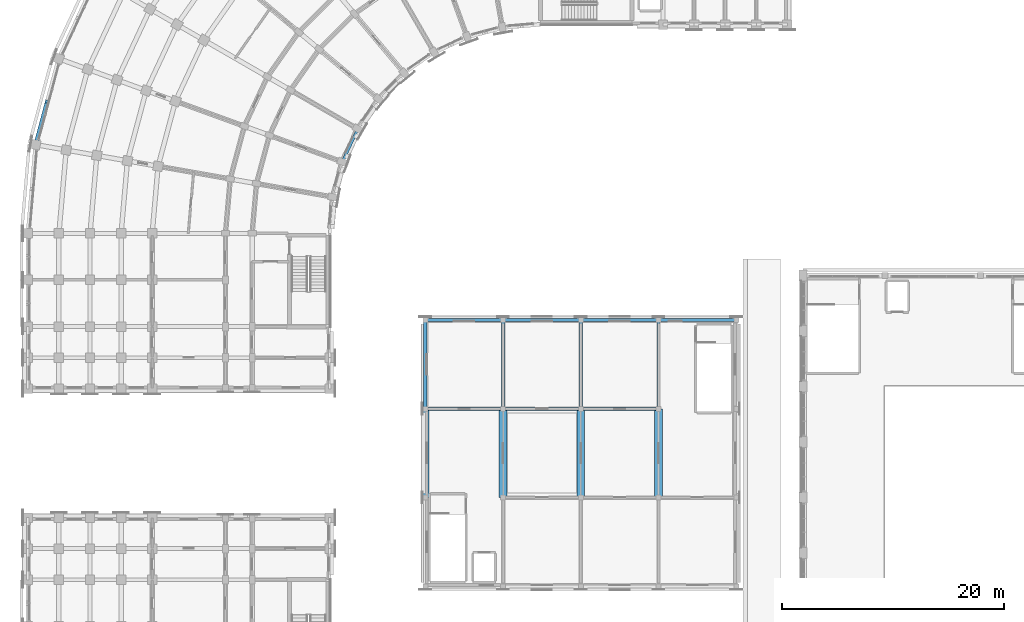
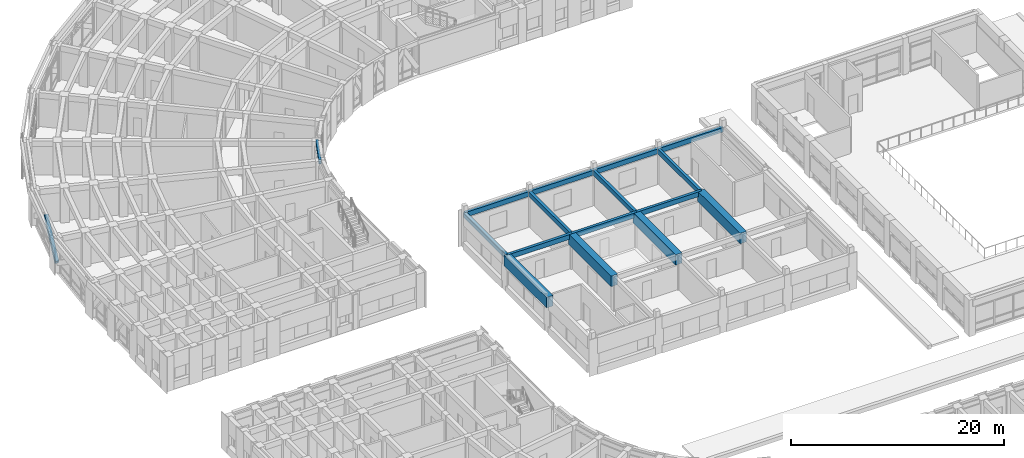
# One storey, part 20 of 97: 17 beams.
"""IFC4 building model written with IfcOpenShell, lengths in metres."""

from ifc_helpers import new_model, si_unit, direction, frame, origin, origin_2d, place, context, subcontext, project, spatial, rectangle, extrude, material, material_profile, profile_set, type_object, element, save


model = new_model("IFC4")

# Units and contexts
model_context = context("Model", 3, precision=1e-05, world=origin(), true_north=direction((0.0, 1.0)))
body_context = subcontext(model_context, "Body", "Model", "MODEL_VIEW")
ifc_project = project(units=[si_unit("LENGTHUNIT", "METRE"), si_unit("AREAUNIT", "SQUARE_METRE"), si_unit("VOLUMEUNIT", "CUBIC_METRE"), si_unit("PLANEANGLEUNIT", "RADIAN"), si_unit("MASSUNIT", "GRAM", prefix="KILO")], contexts=[model_context])

# Site, building, storey
site_placement = place(None, origin())
site = spatial("IfcSite", under=ifc_project, at=site_placement, CompositionType="ELEMENT")
building_placement = place(site_placement, origin())
building = spatial("IfcBuilding", under=site, at=building_placement, Name="Kiranvali Square Residences", CompositionType="ELEMENT")
storey_placement = place(building_placement, frame((0.0, 0.0, 4.5)))
storey = spatial("IfcBuildingStorey", under=building, at=storey_placement, Name="L01", CompositionType="ELEMENT", Elevation=4.5)

# Beams
ifc_material_1 = material(Name="Concrete M40 (40 MPa)", Category="concrete")
ifc_material_profile_1 = material_profile(ifc_material_1, rectangle(XDim=0.35009765625, YDim=0.5, at=origin_2d()), Name="RC 350x500")
ifc_profile_set_1 = profile_set([ifc_material_profile_1], Name="Concrete M40 (40 MPa)")
beam_type_1 = type_object("IfcBeamType", Name="AR-M40-350x500", PredefinedType="USERDEFINED", material=ifc_profile_set_1)
beam_1_placement = place(storey_placement, frame((3.9365234375, 99.660400390625, 3.64990234375), z_axis=(-0.212753144827, -0.793981793339, -0.56949891239), x_axis=(0.965923890569, -0.2588262692, 0.0)))
element("IfcBeam", 1, at=beam_1_placement, inside=storey, type_object=beam_type_1, Name="Classical pointed Ottoman arch rib ARCH-A-CRV-7-07.2", ObjectType="ARCH RIB", PredefinedType="USERDEFINED", context=body_context, shape_type="SweptSolid", body=[
    extrude(rectangle(XDim=0.35009765625, YDim=0.5, at=origin_2d()), origin(), (0.0, 0.0, 1.0), 4.828857421875),
])
ifc_material_profile_2 = material_profile(ifc_material_1, rectangle(XDim=0.300048828125, YDim=0.550048828125, at=origin_2d()), Name="RC 300x550")
ifc_profile_set_2 = profile_set([ifc_material_profile_2], Name="Concrete M40 (40 MPa)")
beam_type_2 = type_object("IfcBeamType", Name="BM-M40-300x550", PredefinedType="BEAM", material=ifc_profile_set_2)
for number, where, z_axis, x_axis, name in (
    (2, (38.0, 72.0, 3.72509765625), (1.0, 0.0, 0.0), (0.0, 1.0, 0.0), "L01 beam BM-NR-L01-X0-2"),
    (3, (45.0, 72.0, 3.72509765625), (1.0, 0.0, 0.0), (0.0, 1.0, 0.0), "L01 beam BM-NR-L01-X1-2"),
    (4, (52.0, 72.0, 3.72509765625), (1.0, 0.0, 0.0), (0.0, 1.0, 0.0), "L01 beam BM-NR-L01-X2-2"),
    (5, (38.0, 80.0, 3.72509765625), (1.0, 0.0, 0.0), (0.0, 1.0, 0.0), "L01 beam BM-NR-L01-X0-3"),
    (6, (45.0, 80.0, 3.72509765625), (1.0, 0.0, 0.0), (0.0, 1.0, 0.0), "L01 beam BM-NR-L01-X1-3"),
    (7, (52.0, 80.0, 3.72509765625), (1.0, 0.0, 0.0), (0.0, 1.0, 0.0), "L01 beam BM-NR-L01-X2-3"),
    (8, (59.0, 80.0, 3.72509765625), (1.0, 0.0, 0.0), (0.0, 1.0, 0.0), "L01 beam BM-NR-L01-X3-3"),
):
    element("IfcBeam", number, at=place(storey_placement, frame(where, z_axis=z_axis, x_axis=x_axis)), inside=storey, type_object=beam_type_2, Name=name, PredefinedType="BEAM", context=body_context, shape_type="SweptSolid", body=[
        extrude(rectangle(XDim=0.300048828125, YDim=0.550048828125, at=origin_2d()), origin(), (0.0, 0.0, 1.0), 7.0),
    ])
for number, where, z_axis, x_axis, name in (
    (9, (38.0, 72.0, 3.72509765625), (0.0, 1.0, 0.0), (-1.0, 0.0, 0.0), "L01 beam BM-NR-L01-Y0-2"),
    (10, (45.0, 72.0, 3.72509765625), (0.0, 1.0, 0.0), (-1.0, 0.0, 0.0), "L01 beam BM-NR-L01-Y1-2"),
    (11, (52.0, 72.0, 3.72509765625), (0.0, 1.0, 0.0), (-1.0, 0.0, 0.0), "L01 beam BM-NR-L01-Y2-2"),
    (12, (59.0, 72.0, 3.72509765625), (0.0, 1.0, 0.0), (-1.0, 0.0, 0.0), "L01 beam BM-NR-L01-Y3-2"),
):
    element("IfcBeam", number, at=place(storey_placement, frame(where, z_axis=z_axis, x_axis=x_axis)), inside=storey, type_object=beam_type_2, Name=name, PredefinedType="BEAM", context=body_context, shape_type="SweptSolid", body=[
        extrude(rectangle(XDim=0.300048828125, YDim=0.550048828125, at=origin_2d()), origin(), (0.0, 0.0, 1.0), 8.0),
    ])
ifc_material_profile_3 = material_profile(ifc_material_1, rectangle(XDim=0.25, YDim=0.5, at=origin_2d()), Name="RC 250x500")
ifc_profile_set_3 = profile_set([ifc_material_profile_3], Name="Concrete M40 (40 MPa)")
beam_type_3 = type_object("IfcBeamType", Name="SPN-M40-250x500", PredefinedType="SPANDREL", material=ifc_profile_set_3)
beam_2_placement = place(storey_placement, frame((31.918701171875, 97.199951171875, 3.72998046875), z_axis=(-0.422640740585, -0.90629730464, 0.0), x_axis=(0.90629730464, -0.422640740585, 0.0)))
element("IfcBeam", 13, at=beam_2_placement, inside=storey, type_object=beam_type_3, Name="L01 beam BM-A-L01-C06-R0", PredefinedType="SPANDREL", context=body_context, shape_type="SweptSolid", body=[
    extrude(rectangle(XDim=0.25, YDim=0.5, at=origin_2d()), origin(), (0.0, 0.0, 1.0), 3.277099609375),
])
ifc_material_2 = material(Name="Concrete M50 (50 MPa)", Category="concrete")
ifc_material_profile_4 = material_profile(ifc_material_2, rectangle(XDim=0.699951171875, YDim=1.199951171875, at=origin_2d()), Name="RC 700x1200")
ifc_profile_set_4 = profile_set([ifc_material_profile_4], Name="Concrete M50 (50 MPa)")
beam_type_4 = type_object("IfcBeamType", Name="TG-M50-700x1200", PredefinedType="USERDEFINED", material=ifc_profile_set_4)
for number, where, z_axis, x_axis, name in (
    (14, (38.0, 64.0, 3.39990234375), (0.0, 1.0, 0.0), (-1.0, 0.0, 0.0), "Nursery Pavilion ridge king-post transfer girder 1"),
    (15, (45.0, 64.0, 3.39990234375), (0.0, 1.0, 0.0), (-1.0, 0.0, 0.0), "Nursery Pavilion ridge king-post transfer girder 2"),
    (16, (52.0, 64.0, 3.39990234375), (0.0, 1.0, 0.0), (-1.0, 0.0, 0.0), "Nursery Pavilion ridge king-post transfer girder 3"),
    (17, (59.0, 64.0, 3.39990234375), (0.0, 1.0, 0.0), (-1.0, 0.0, 0.0), "Nursery Pavilion ridge king-post transfer girder 4"),
):
    element("IfcBeam", number, at=place(storey_placement, frame(where, z_axis=z_axis, x_axis=x_axis)), inside=storey, type_object=beam_type_4, Name=name, ObjectType="TRANSFER GIRDER", PredefinedType="USERDEFINED", context=body_context, shape_type="SweptSolid", body=[
        extrude(rectangle(XDim=0.699951171875, YDim=1.199951171875, at=origin_2d()), origin(), (0.0, 0.0, 1.0), 8.0),
    ])

save(model, "model.ifc")
